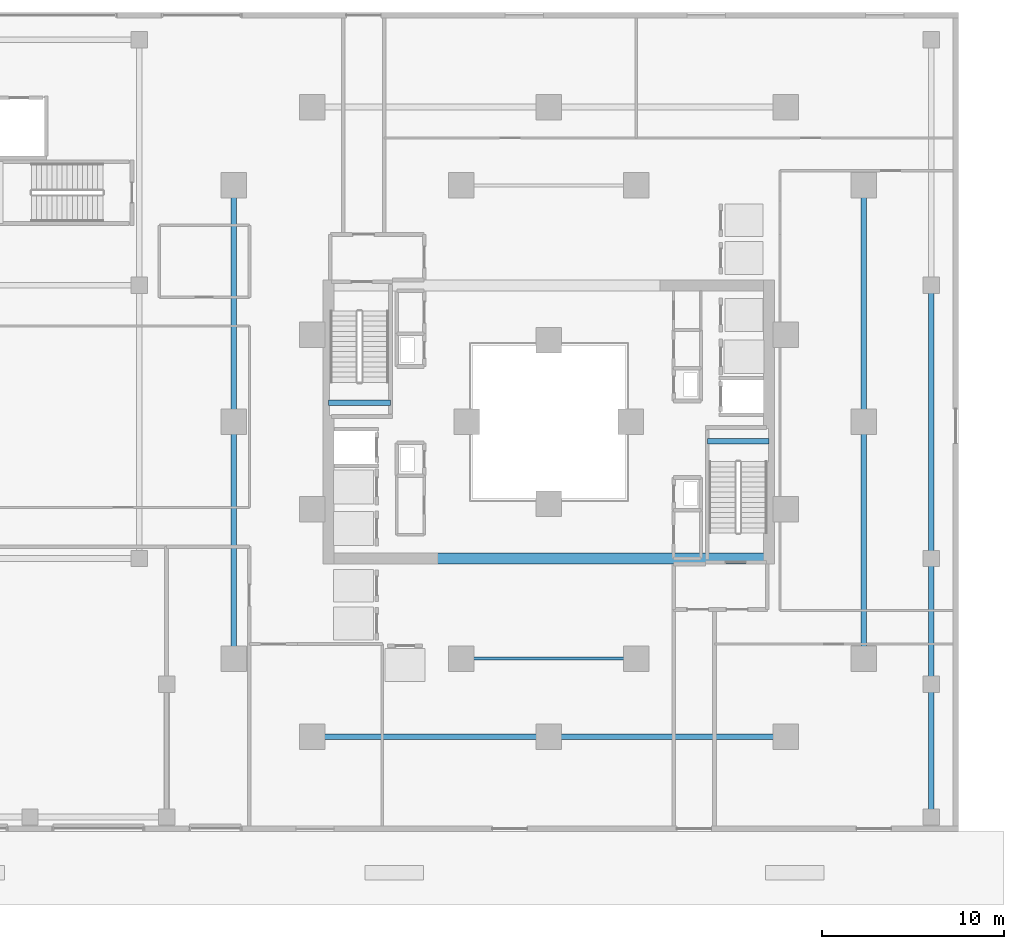
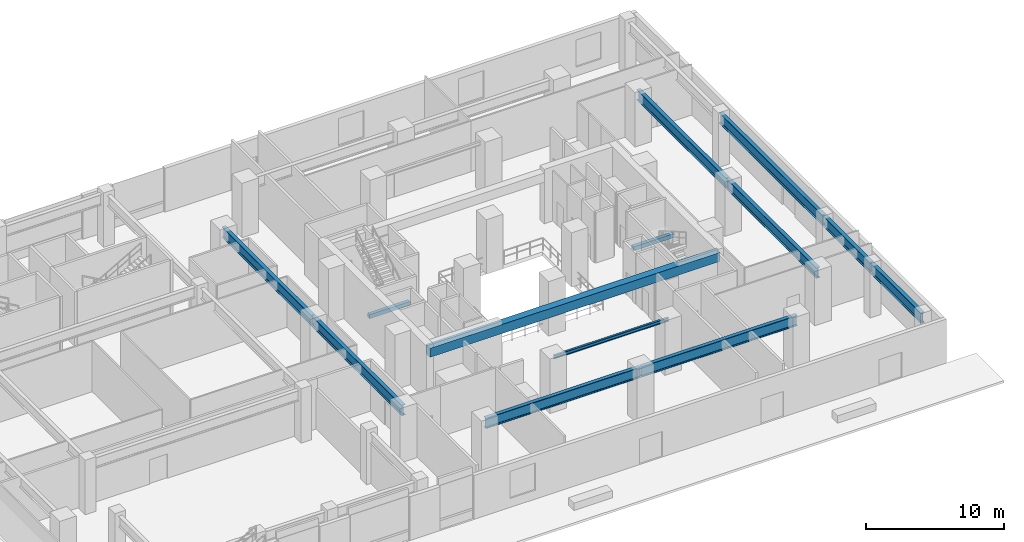
# One storey, part 9 of 24: 13 beams.
"""IFC4 building model written with IfcOpenShell, lengths in metres."""

from ifc_helpers import new_model, si_unit, direction, frame, origin, origin_2d, place, context, subcontext, project, spatial, rectangle, i_section, extrude, material, material_profile, profile_set, type_object, element, save


model = new_model("IFC4")

# Units and contexts
model_context = context("Model", 3, precision=1e-05, world=origin(), true_north=direction((0.0, 1.0)))
body_context = subcontext(model_context, "Body", "Model", "MODEL_VIEW")
ifc_project = project(units=[si_unit("LENGTHUNIT", "METRE"), si_unit("AREAUNIT", "SQUARE_METRE"), si_unit("VOLUMEUNIT", "CUBIC_METRE"), si_unit("PLANEANGLEUNIT", "RADIAN"), si_unit("MASSUNIT", "GRAM", prefix="KILO")], contexts=[model_context])

# Site, building, storey
site_placement = place(None, origin())
site = spatial("IfcSite", under=ifc_project, at=site_placement, CompositionType="ELEMENT")
building_placement = place(site_placement, origin())
building = spatial("IfcBuilding", under=site, at=building_placement, Name="Thornwick Lancets Civic Towers", CompositionType="ELEMENT")
storey_placement = place(building_placement, origin())
storey = spatial("IfcBuildingStorey", under=building, at=storey_placement, Name="L00", CompositionType="ELEMENT", Elevation=0.0)

# Beams
ifc_material_1 = material(Name="Concrete C60/75", Category="concrete")
ifc_material_profile_1 = material_profile(ifc_material_1, rectangle(XDim=0.60009765625, YDim=0.800048828125, at=origin_2d()), Name="RC 600x800")
ifc_profile_set_1 = profile_set([ifc_material_profile_1], Name="Concrete C60/75")
beam_type_1 = type_object("IfcBeamType", Name="BM_COUP_RC800", PredefinedType="BEAM", material=ifc_profile_set_1)
beam_1_placement = place(storey_placement, frame((76.39990234375, 19.5, 4.080078125), z_axis=(1.0, 0.0, 0.0), x_axis=(0.0, 1.0, 0.0)))
element("IfcBeam", 1, at=beam_1_placement, inside=storey, type_object=beam_type_1, Name="CB-L00-B2", PredefinedType="BEAM", context=body_context, shape_type="SweptSolid", body=[
    extrude(rectangle(XDim=0.60009765625, YDim=0.800048828125, at=origin_2d()), origin(), (0.0, 0.0, 1.0), 24.2001953125),
])
ifc_material_2 = material(Name="Steel S355JR", Category="steel")
ifc_material_profile_2 = material_profile(ifc_material_2, i_section(OverallWidth=0.1669921875, OverallDepth=0.310302734375, WebThickness=0.0078125, FlangeThickness=0.013671875, FilletRadius=0.0087890625, at=origin_2d()), Name="UKB 305x165x54")
ifc_profile_set_2 = profile_set([ifc_material_profile_2], Name="Steel S355JR")
beam_type_2 = type_object("IfcBeamType", Name="BM_LINTEL_305_54", PredefinedType="LINTEL", material=ifc_profile_set_2)
beam_2_placement = place(storey_placement, frame((93.300048828125, 14.0, 4.32470703125), z_axis=(-1.0, 0.0, 0.0), x_axis=(0.0, -1.0, 0.0)))
element("IfcBeam", 2, at=beam_2_placement, inside=storey, type_object=beam_type_2, Name="BM-INSP-L00-B-0-2", PredefinedType="LINTEL", context=body_context, shape_type="SweptSolid", body=[
    extrude(i_section(OverallWidth=0.1669921875, OverallDepth=0.310302734375, WebThickness=0.0078125, FlangeThickness=0.013671875, FilletRadius=0.0087890625, at=origin_2d()), origin(), (0.0, 0.0, 1.0), 9.60009765625),
])
ifc_material_profile_3 = material_profile(ifc_material_2, i_section(OverallWidth=0.3076171875, OverallDepth=0.926513671875, WebThickness=0.01953125, FlangeThickness=0.031982421875, FilletRadius=0.01904296875, at=origin_2d()), Name="UKB 914x305x289")
ifc_profile_set_3 = profile_set([ifc_material_profile_3], Name="Steel S355JR")
beam_type_3 = type_object("IfcBeamType", Name="BM_POD_914_289", PredefinedType="BEAM", material=ifc_profile_set_3)
beam_3_placement = place(storey_placement, frame((105.800048828125, 14.0, 4.0166015625), z_axis=(0.0, 1.0, 0.0), x_axis=(-1.0, 0.0, 0.0)))
element("IfcBeam", 3, at=beam_3_placement, inside=storey, type_object=beam_type_3, Name="BM-SPINE-L00-B-0-1", PredefinedType="BEAM", context=body_context, shape_type="SweptSolid", body=[
    extrude(i_section(OverallWidth=0.3076171875, OverallDepth=0.926513671875, WebThickness=0.01953125, FlangeThickness=0.031982421875, FilletRadius=0.01904296875, at=origin_2d()), origin(), (0.0, 0.0, 1.0), 13.0),
])
beam_4_placement = place(storey_placement, frame((105.800048828125, 27.080078125, 4.0166015625), z_axis=(0.0, 1.0, 0.0), x_axis=(-1.0, 0.0, 0.0)))
element("IfcBeam", 4, at=beam_4_placement, inside=storey, type_object=beam_type_3, Name="BM-SPINE-L00-B-1-2", PredefinedType="BEAM", context=body_context, shape_type="SweptSolid", body=[
    extrude(i_section(OverallWidth=0.3076171875, OverallDepth=0.926513671875, WebThickness=0.01953125, FlangeThickness=0.031982421875, FilletRadius=0.01904296875, at=origin_2d()), origin(), (0.0, 0.0, 1.0), 12.919921875),
])
beam_5_placement = place(storey_placement, frame((71.199951171875, 14.0, 4.0166015625), z_axis=(0.0, 1.0, 0.0), x_axis=(-1.0, 0.0, 0.0)))
element("IfcBeam", 5, at=beam_5_placement, inside=storey, type_object=beam_type_3, Name="BM-SPINE-L00-B-6-7", PredefinedType="BEAM", context=body_context, shape_type="SweptSolid", body=[
    extrude(i_section(OverallWidth=0.3076171875, OverallDepth=0.926513671875, WebThickness=0.01953125, FlangeThickness=0.031982421875, FilletRadius=0.01904296875, at=origin_2d()), origin(), (0.0, 0.0, 1.0), 13.0),
])
beam_6_placement = place(storey_placement, frame((71.199951171875, 27.080078125, 4.0166015625), z_axis=(0.0, 1.0, 0.0), x_axis=(-1.0, 0.0, 0.0)))
element("IfcBeam", 6, at=beam_6_placement, inside=storey, type_object=beam_type_3, Name="BM-SPINE-L00-B-7-8", PredefinedType="BEAM", context=body_context, shape_type="SweptSolid", body=[
    extrude(i_section(OverallWidth=0.3076171875, OverallDepth=0.926513671875, WebThickness=0.01953125, FlangeThickness=0.031982421875, FilletRadius=0.01904296875, at=origin_2d()), origin(), (0.0, 0.0, 1.0), 12.919921875),
])
beam_7_placement = place(storey_placement, frame((101.5, 9.699951171875, 4.0166015625), z_axis=(-1.0, 0.0, 0.0), x_axis=(0.0, -1.0, 0.0)))
element("IfcBeam", 7, at=beam_7_placement, inside=storey, type_object=beam_type_3, Name="BM-SPINE-L00-B-9-10", PredefinedType="BEAM", context=body_context, shape_type="SweptSolid", body=[
    extrude(i_section(OverallWidth=0.3076171875, OverallDepth=0.926513671875, WebThickness=0.01953125, FlangeThickness=0.031982421875, FilletRadius=0.01904296875, at=origin_2d()), origin(), (0.0, 0.0, 1.0), 13.0),
])
beam_8_placement = place(storey_placement, frame((88.419921875, 9.699951171875, 4.0166015625), z_axis=(-1.0, 0.0, 0.0), x_axis=(0.0, -1.0, 0.0)))
element("IfcBeam", 8, at=beam_8_placement, inside=storey, type_object=beam_type_3, Name="BM-SPINE-L00-B-10-11", PredefinedType="BEAM", context=body_context, shape_type="SweptSolid", body=[
    extrude(i_section(OverallWidth=0.3076171875, OverallDepth=0.926513671875, WebThickness=0.01953125, FlangeThickness=0.031982421875, FilletRadius=0.01904296875, at=origin_2d()), origin(), (0.0, 0.0, 1.0), 12.919921875),
])
beam_9_placement = place(storey_placement, frame((109.5, 5.300048828125, 4.0166015625), z_axis=(0.0, 1.0, 0.0), x_axis=(-1.0, 0.0, 0.0)))
element("IfcBeam", 9, at=beam_9_placement, inside=storey, type_object=beam_type_3, Name="BM-PODG-L00-5-9", PredefinedType="BEAM", context=body_context, shape_type="SweptSolid", body=[
    extrude(i_section(OverallWidth=0.3076171875, OverallDepth=0.926513671875, WebThickness=0.01953125, FlangeThickness=0.031982421875, FilletRadius=0.01904296875, at=origin_2d()), origin(), (0.0, 0.0, 1.0), 7.300048828125),
])
beam_10_placement = place(storey_placement, frame((109.5, 12.679931640625, 4.0166015625), z_axis=(0.0, 1.0, 0.0), x_axis=(-1.0, 0.0, 0.0)))
element("IfcBeam", 10, at=beam_10_placement, inside=storey, type_object=beam_type_3, Name="BM-PODG-L00-9-20", PredefinedType="BEAM", context=body_context, shape_type="SweptSolid", body=[
    extrude(i_section(OverallWidth=0.3076171875, OverallDepth=0.926513671875, WebThickness=0.01953125, FlangeThickness=0.031982421875, FilletRadius=0.01904296875, at=origin_2d()), origin(), (0.0, 0.0, 1.0), 6.820068359375),
])
beam_11_placement = place(storey_placement, frame((109.5, 19.580078125, 4.0166015625), z_axis=(0.0, 1.0, 0.0), x_axis=(-1.0, 0.0, 0.0)))
element("IfcBeam", 11, at=beam_11_placement, inside=storey, type_object=beam_type_3, Name="BM-PODG-L00-20-21", PredefinedType="BEAM", context=body_context, shape_type="SweptSolid", body=[
    extrude(i_section(OverallWidth=0.3076171875, OverallDepth=0.926513671875, WebThickness=0.01953125, FlangeThickness=0.031982421875, FilletRadius=0.01904296875, at=origin_2d()), origin(), (0.0, 0.0, 1.0), 14.919921875),
])
ifc_material_3 = material(Name="Concrete C40/50", Category="concrete")
ifc_material_profile_4 = material_profile(ifc_material_3, rectangle(XDim=0.300048828125, YDim=0.35009765625, at=origin_2d()), Name="RC 300x350")
ifc_profile_set_4 = profile_set([ifc_material_profile_4], Name="Concrete C40/50")
beam_type_4 = type_object("IfcBeamType", Name="BM_STAIR_LDG", PredefinedType="BEAM", material=ifc_profile_set_4)
for number, where, z_axis, x_axis, name in (
    (12, (100.60009765625, 25.93505859375, 1.97802734375), (-1.0, 0.0, 0.0), (0.0, -1.0, 0.0), "L00 ST-B1 Landing Support Beam 1"),
    (13, (76.39990234375, 28.06494140625, 1.97802734375), (1.0, 0.0, 0.0), (0.0, 1.0, 0.0), "L00 ST-B2 Landing Support Beam 1"),
):
    element("IfcBeam", number, at=place(storey_placement, frame(where, z_axis=z_axis, x_axis=x_axis)), inside=storey, type_object=beam_type_4, Name=name, PredefinedType="BEAM", context=body_context, shape_type="SweptSolid", body=[
        extrude(rectangle(XDim=0.300048828125, YDim=0.35009765625, at=origin_2d()), origin(), (0.0, 0.0, 1.0), 3.400146484375),
    ])

save(model, "model.ifc")
